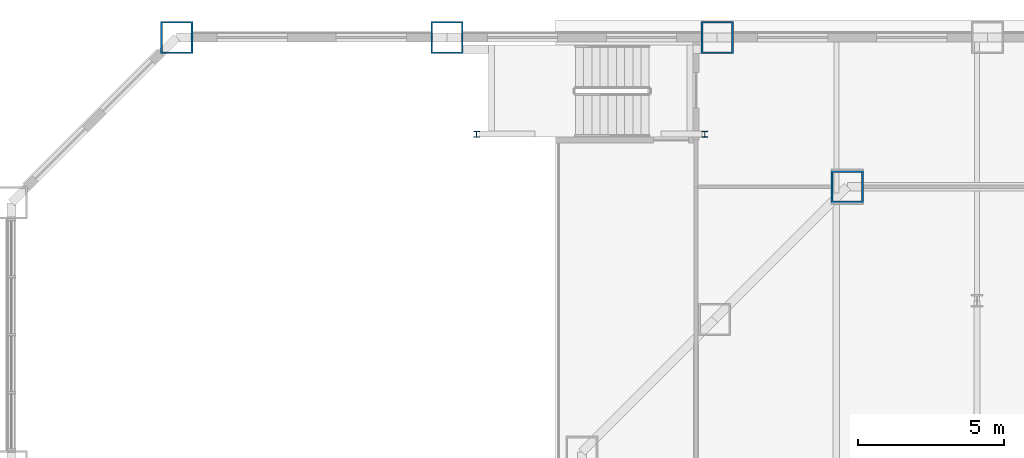
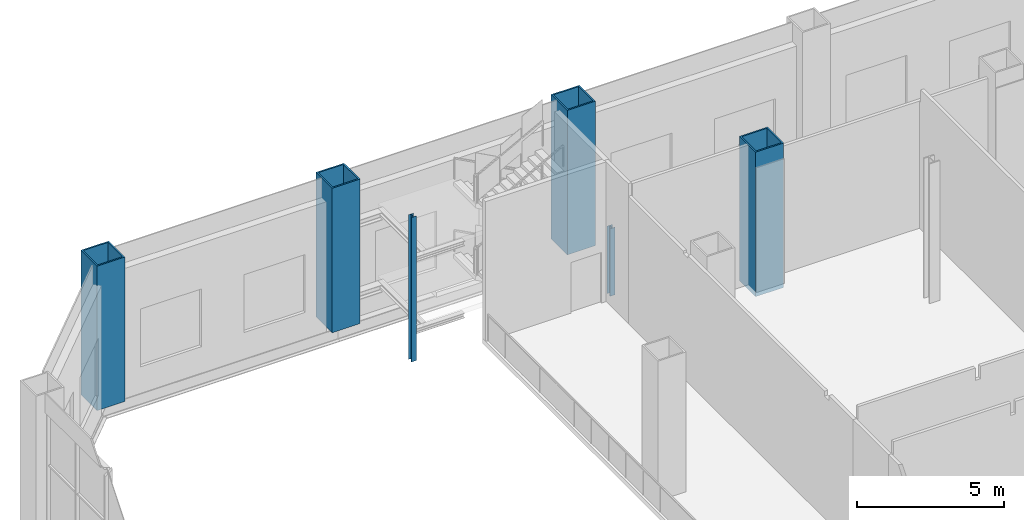
# One storey, part 3 of 31: 6 columns.
"""IFC4 building model written with IfcOpenShell, lengths in metres."""

import ifcopenshell
import ifcopenshell.guid

model = None  # the IFC model being written
_history = None  # IfcOwnerHistory: only IFC2X3 demands one
_inside = {}  # id of a spatial element -> (the spatial element, [elements in it])
_under = {}  # id of a project, library or spatial element -> (it, [spatial elements below it])
_declared = {}  # id of a project -> (the project, [libraries it declares])
_typed = {}  # id of a type object -> (the type object, [elements of that type])
_made_of = {}  # id of a material, layer set ... -> (it, [elements and type objects made of it])


def new_model(schema):
    """Start an empty IFC model of exactly this schema.

    Asked for "IFC4X3", IfcOpenShell would pick the latest addendum, in which some entities
    have other attributes; the version numbers below select the first issue.
    IFC2X3 requires an IfcOwnerHistory on every rooted entity: one is made here for all.
    """
    global model, _history
    if schema == "IFC4X3":
        model = ifcopenshell.file(schema_version=(4, 3, 0, 0))
    else:
        model = ifcopenshell.file(schema=schema)
    _inside.clear()
    _under.clear()
    _declared.clear()
    _typed.clear()
    _made_of.clear()
    _history = None
    if model.schema == "IFC2X3":
        org = make("IfcOrganization", Name="unknown")
        user = make(
            "IfcPersonAndOrganization",
            ThePerson=make("IfcPerson", FamilyName="unknown"),
            TheOrganization=org,
        )
        app = make(
            "IfcApplication",
            ApplicationDeveloper=org,
            Version="unknown",
            ApplicationFullName="unknown",
            ApplicationIdentifier="unknown",
        )
        _history = make(
            "IfcOwnerHistory",
            OwningUser=user,
            OwningApplication=app,
            ChangeAction="ADDED",
            CreationDate=0,
        )
    return model


def make(cls, **values):
    """One entity of the class cls with the attributes given. An attribute that is None is left unset."""
    return model.create_entity(
        cls, **{name: value for name, value in values.items() if value is not None}
    )


def rooted(cls, **values):
    """An entity with a GlobalId (a new one), such as an element, a storey or a relation."""
    return make(cls, GlobalId=ifcopenshell.guid.new(), OwnerHistory=_history, **values)


def si_unit(unit_type, name, prefix=None):
    """IfcSIUnit, for example si_unit("LENGTHUNIT", "METRE", prefix="MILLI")."""
    return make("IfcSIUnit", UnitType=unit_type, Prefix=prefix, Name=name)


def assignment(units):
    """IfcUnitAssignment: the units of a project."""
    return None if units is None else make("IfcUnitAssignment", Units=units)


def point(xyz):
    """IfcCartesianPoint."""
    return None if xyz is None else make("IfcCartesianPoint", Coordinates=xyz)


def direction(xyz):
    """IfcDirection."""
    return None if xyz is None else make("IfcDirection", DirectionRatios=xyz)


def frame(location, z_axis=None, x_axis=None):
    """IfcAxis2Placement3D, a coordinate frame: its origin and axes. An axis left out is left unset."""
    return make(
        "IfcAxis2Placement3D",
        Location=point(location),
        Axis=direction(z_axis),
        RefDirection=direction(x_axis),
    )


def frame_2d(location, x_axis=None):
    """IfcAxis2Placement2D, a coordinate frame in the plane: its origin and x axis."""
    return make(
        "IfcAxis2Placement2D", Location=point(location), RefDirection=direction(x_axis)
    )


def origin():
    """The frame at (0, 0, 0) with its axes left unset."""
    return frame((0.0, 0.0, 0.0))


def origin_2d():
    """The frame at (0, 0) in the plane with its x axis left unset."""
    return frame_2d((0.0, 0.0))


def place(relative_to, where):
    """IfcLocalPlacement: puts the frame where relative to a parent placement (None: the world)."""
    return make(
        "IfcLocalPlacement", PlacementRelTo=relative_to, RelativePlacement=where
    )


def context(
    kind, dimensions, precision=None, world=None, true_north=None, identifier=None
):
    """IfcGeometricRepresentationContext, for example the 3D "Model" context."""
    return make(
        "IfcGeometricRepresentationContext",
        ContextIdentifier=identifier,
        ContextType=kind,
        CoordinateSpaceDimension=dimensions,
        Precision=precision,
        WorldCoordinateSystem=world,
        TrueNorth=true_north,
    )


def subcontext(parent, identifier, kind, view, scale=None):
    """IfcGeometricRepresentationSubContext, for example "Body" below "Model"."""
    return make(
        "IfcGeometricRepresentationSubContext",
        ContextIdentifier=identifier,
        ContextType=kind,
        ParentContext=parent,
        TargetScale=scale,
        TargetView=view,
    )


def project(units=None, contexts=None):
    """IfcProject with its units and contexts."""
    return rooted(
        "IfcProject",
        Name="project",
        RepresentationContexts=contexts,
        UnitsInContext=assignment(units),
    )


def spatial(cls, under=None, at=None, **own):
    """A site, building, storey or space (cls), placed at a placement, below another one or the project."""
    s = rooted(cls, ObjectPlacement=at, **own)
    if under is not None:
        _under.setdefault(under.id(), (under, []))[1].append(s)
    return s


def profile(cls, at=None, kind="AREA", **sizes):
    """A parametric profile (cls). Its sizes go by their IFC names, for example OverallWidth=200.0."""
    return make(cls, ProfileType=kind, Position=at, **sizes)


def hollow_rectangle(**sizes):
    """IfcRectangleHollowProfileDef."""
    return profile("IfcRectangleHollowProfileDef", **sizes)


def i_section(**sizes):
    """IfcIShapeProfileDef."""
    return profile("IfcIShapeProfileDef", **sizes)


def extrude(swept, where, along, depth):
    """IfcExtrudedAreaSolid: the profile swept, set in the frame where, extruded along a direction by depth."""
    return make(
        "IfcExtrudedAreaSolid",
        SweptArea=swept,
        Position=where,
        ExtrudedDirection=direction(along),
        Depth=depth,
    )


def shape(context_of_items, identifier, shape_type, items):
    """IfcShapeRepresentation: the items that make up one representation, for example the "Body"."""
    return make(
        "IfcShapeRepresentation",
        ContextOfItems=context_of_items,
        RepresentationIdentifier=identifier,
        RepresentationType=shape_type,
        Items=items,
    )


def material(Name=None, Category=None):
    """IfcMaterial."""
    return make("IfcMaterial", Name=Name, Category=Category)


def material_profile(
    of_material, cross_section, Name=None, Category=None, Priority=None
):
    """IfcMaterialProfile: a cross section and its material."""
    return make(
        "IfcMaterialProfile",
        Name=Name,
        Material=of_material,
        Profile=cross_section,
        Priority=Priority,
        Category=Category,
    )


def profile_set(profiles, Name=None, composite=None):
    """IfcMaterialProfileSet."""
    return make(
        "IfcMaterialProfileSet",
        Name=Name,
        MaterialProfiles=profiles,
        CompositeProfile=composite,
    )


def made_of(thing, what):
    """Note that an element or type object is made of a material, layer set ...; save() writes the relation."""
    if what is not None:
        _made_of.setdefault(what.id(), (what, []))[1].append(thing)
    return thing


def type_object(cls, material=None, **own):
    """A type object (cls), such as IfcWallType, which elements share."""
    return made_of(rooted(cls, **own), material)


def element(
    cls,
    number,
    at=None,
    inside=None,
    cuts=None,
    type_object=None,
    material=None,
    context=None,
    identifier="Body",
    shape_type=None,
    held_by="IfcProductDefinitionShape",
    body=None,
    shapes=None,
    **own,
):
    """One element of the class cls, such as IfcWall. Its Tag is "e" and its number.

    at: its placement. inside: the storey or other place that contains it. cuts: it is an
    opening in that element (IfcRelVoidsElement). A single representation is given by context,
    identifier, shape_type and body (its items); several are given by shapes. held_by: the class
    of the entity that holds the representations. save() writes the other relations.
    """
    e = rooted(cls, Tag="e%d" % number, ObjectPlacement=at, **own)
    if body is not None:
        shapes = [shape(context, identifier, shape_type, body)]
    if shapes is not None:
        e.Representation = make(held_by, Representations=shapes)
    if inside is not None:
        _inside.setdefault(inside.id(), (inside, []))[1].append(e)
    if cuts is not None:
        rooted(
            "IfcRelVoidsElement", RelatingBuildingElement=cuts, RelatedOpeningElement=e
        )
    if type_object is not None:
        _typed.setdefault(type_object.id(), (type_object, []))[1].append(e)
    return made_of(e, material)


def aggregate(whole, parts):
    """IfcRelAggregates: a whole, such as a stair, and the parts it consists of."""
    return rooted("IfcRelAggregates", RelatingObject=whole, RelatedObjects=parts)


def save(model, path):
    """Write the relations noted so far, then the file.

    IfcRelAggregates (storeys below a building ...), IfcRelContainedInSpatialStructure (elements
    in a storey), IfcRelDefinesByType, IfcRelAssociatesMaterial and IfcRelDeclares: one each for
    every whole, place, type object, material and project.
    """
    for whole, parts in _under.values():
        aggregate(whole, parts)
    for where, things in _inside.values():
        rooted(
            "IfcRelContainedInSpatialStructure",
            RelatedElements=things,
            RelatingStructure=where,
        )
    for kind, things in _typed.values():
        rooted("IfcRelDefinesByType", RelatedObjects=things, RelatingType=kind)
    for what, things in _made_of.values():
        rooted("IfcRelAssociatesMaterial", RelatedObjects=things, RelatingMaterial=what)
    for by, libraries in _declared.values():
        rooted("IfcRelDeclares", RelatingContext=by, RelatedDefinitions=libraries)
    model.write(path)


model = new_model("IFC4")

# Units and contexts
model_context = context("Model", 3, precision=1e-05, world=origin(), true_north=direction((0.0, 1.0)))
body_context = subcontext(model_context, "Body", "Model", "MODEL_VIEW")
ifc_project = project(units=[si_unit("LENGTHUNIT", "METRE"), si_unit("AREAUNIT", "SQUARE_METRE"), si_unit("VOLUMEUNIT", "CUBIC_METRE"), si_unit("PLANEANGLEUNIT", "RADIAN"), si_unit("MASSUNIT", "GRAM", prefix="KILO")], contexts=[model_context])

# Site, building, storey
site_placement = place(None, origin())
site = spatial("IfcSite", under=ifc_project, at=site_placement, CompositionType="ELEMENT")
building_placement = place(site_placement, origin())
building = spatial("IfcBuilding", under=site, at=building_placement, Name="Cairn Pilgrim Tower", CompositionType="ELEMENT")
storey_placement = place(building_placement, frame((0.0, 0.0, 15.0)))
storey = spatial("IfcBuildingStorey", under=building, at=storey_placement, Name="L02", CompositionType="ELEMENT", Elevation=15.0)

# Columns
ifc_material_1 = material(Name="Structural steel S460M", Category="steel")
ifc_material_profile_1 = material_profile(ifc_material_1, hollow_rectangle(XDim=1.10009765625, YDim=1.10009765625, WallThickness=0.06005859375, at=origin_2d()), Name="BOX 1100x1100x60")
ifc_profile_set_1 = profile_set([ifc_material_profile_1], Name="Structural steel S460M")
column_type_1 = type_object("IfcColumnType", Name="BOX 1100x1100x60", PredefinedType="COLUMN", material=ifc_profile_set_1)
column_1_placement = place(storey_placement, frame((-18.8271484375, 23.10009765625, -0.199951171875), z_axis=(0.0, 0.0, 1.0), x_axis=(1.0, 0.0, 0.0)))
element("IfcColumn", 1, at=column_1_placement, inside=storey, type_object=column_type_1, Name="PC1-NW1", PredefinedType="COLUMN", context=body_context, shape_type="SweptSolid", body=[
    extrude(hollow_rectangle(XDim=1.10009765625, YDim=1.10009765625, WallThickness=0.06005859375, at=origin_2d()), origin(), (0.0, 0.0, 1.0), 6.0),
])
ifc_material_profile_2 = material_profile(ifc_material_1, hollow_rectangle(XDim=1.10009765625, YDim=1.10009765625, WallThickness=0.06005859375, at=origin_2d()), Name="BOX 1100x1100x60")
ifc_profile_set_2 = profile_set([ifc_material_profile_2], Name="Structural steel S460M")
column_type_2 = type_object("IfcColumnType", Name="PILOTIS CFT 1100", PredefinedType="COLUMN", material=ifc_profile_set_2)
for number, where, z_axis, x_axis, name in (
    (2, (-23.275634765625, 28.199951171875, 0.0), (0.0, 0.0, 1.0), (1.0, 0.0, 0.0), "PILOTIS PL-N7"),
    (3, (-32.513671875, 28.199951171875, 0.0), (0.0, 0.0, 1.0), (1.0, 0.0, 0.0), "PILOTIS PL-N8"),
    (4, (-41.75146484375, 28.199951171875, 0.0), (0.0, 0.0, 1.0), (1.0, 0.0, 0.0), "PILOTIS PL-NW1"),
):
    element("IfcColumn", number, at=place(storey_placement, frame(where, z_axis=z_axis, x_axis=x_axis)), inside=storey, type_object=column_type_2, Name=name, PredefinedType="COLUMN", context=body_context, shape_type="SweptSolid", body=[
        extrude(hollow_rectangle(XDim=1.10009765625, YDim=1.10009765625, WallThickness=0.06005859375, at=origin_2d()), origin(), (0.0, 0.0, 1.0), 6.0),
    ])
ifc_material_2 = material(Name="Structural steel S355J2", Category="steel")
ifc_material_profile_3 = material_profile(ifc_material_2, i_section(OverallWidth=0.199951171875, OverallDepth=0.199951171875, WebThickness=0.009033203125, FlangeThickness=0.014892578125, FilletRadius=0.01806640625, at=origin_2d()), Name="HE 200 B")
ifc_profile_set_3 = profile_set([ifc_material_profile_3], Name="Structural steel S355J2")
column_type_3 = type_object("IfcColumnType", Name="STAIR POST HE 200 B", PredefinedType="COLUMN", material=ifc_profile_set_3)
column_2_placement = place(storey_placement, frame((-31.5, 24.89990234375, 0.0), z_axis=(0.0, 0.0, 1.0), x_axis=(1.0, 0.0, 0.0)))
element("IfcColumn", 5, at=column_2_placement, inside=storey, type_object=column_type_3, Name="STAIR POST LP-HN-W", PredefinedType="COLUMN", context=body_context, shape_type="SweptSolid", body=[
    extrude(i_section(OverallWidth=0.199951171875, OverallDepth=0.199951171875, WebThickness=0.009033203125, FlangeThickness=0.014892578125, FilletRadius=0.01806640625, at=origin_2d()), origin(), (0.0, 0.0, 1.0), 6.0),
])
column_3_placement = place(storey_placement, frame((-23.699951171875, 24.89990234375, 0.0), z_axis=(0.0, 0.0, 1.0), x_axis=(1.0, 0.0, 0.0)))
element("IfcColumn", 6, at=column_3_placement, inside=storey, type_object=column_type_3, Name="STAIR POST LP-HN-E", PredefinedType="COLUMN", context=body_context, shape_type="SweptSolid", body=[
    extrude(i_section(OverallWidth=0.199951171875, OverallDepth=0.199951171875, WebThickness=0.009033203125, FlangeThickness=0.014892578125, FilletRadius=0.01806640625, at=origin_2d()), origin(), (0.0, 0.0, 1.0), 2.800048828125),
])

save(model, "model.ifc")
